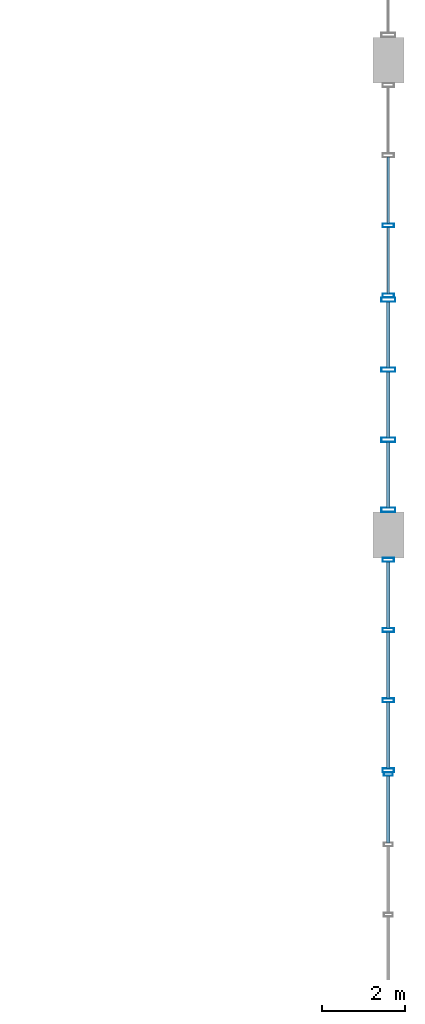
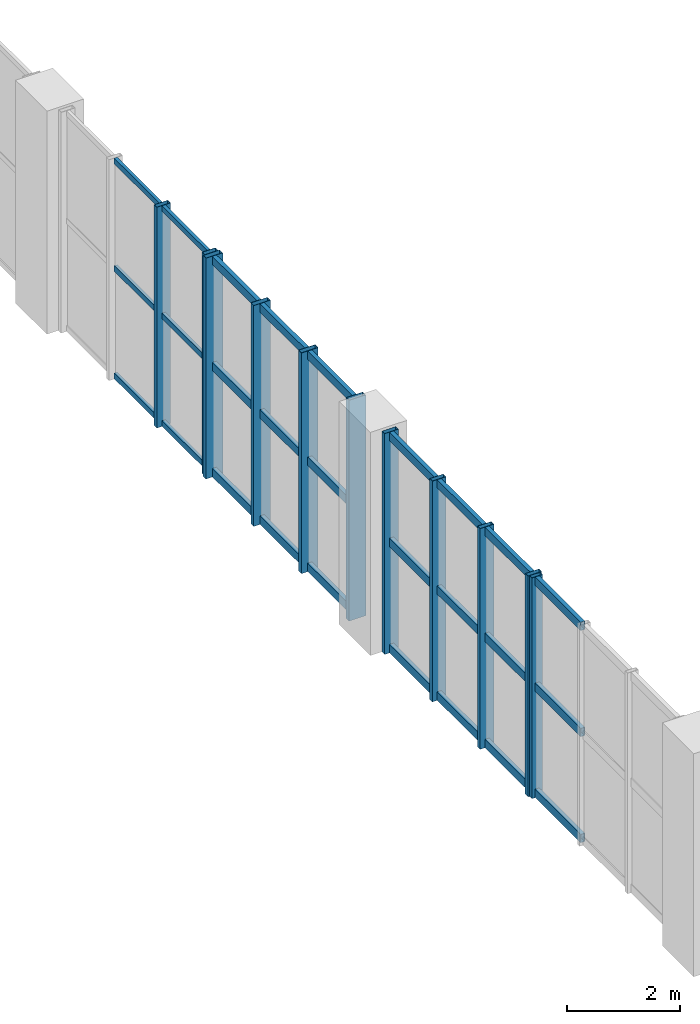
# One storey, part 54 of 106: 38 members, 4 elements without a shape of their own.
"""IFC4 building model written with IfcOpenShell, lengths in metres."""

from ifc_helpers import new_model, si_unit, direction, frame, origin, origin_2d, place, context, subcontext, project, spatial, hollow_rectangle, extrude, material, layer, layer_set, material_profile, profile_set, type_object, element, aggregate, save


model = new_model("IFC4")

# Units and contexts
model_context = context("Model", 3, precision=1e-05, world=origin(), true_north=direction((0.0, 1.0)))
body_context = subcontext(model_context, "Body", "Model", "MODEL_VIEW")
ifc_project = project(units=[si_unit("LENGTHUNIT", "METRE"), si_unit("AREAUNIT", "SQUARE_METRE"), si_unit("VOLUMEUNIT", "CUBIC_METRE"), si_unit("PLANEANGLEUNIT", "RADIAN"), si_unit("MASSUNIT", "GRAM", prefix="KILO"), si_unit("POWERUNIT", "WATT"), si_unit("THERMODYNAMICTEMPERATUREUNIT", "KELVIN")], contexts=[model_context])

# Site, building, storey
site_placement = place(None, origin())
site = spatial("IfcSite", under=ifc_project, at=site_placement, CompositionType="ELEMENT")
building_placement = place(site_placement, origin())
building = spatial("IfcBuilding", under=site, at=building_placement, Name="Kelmbourne Parkland Aquatics Centre", CompositionType="ELEMENT")
storey_placement = place(building_placement, frame((0.0, 0.0, 5.39990234375)))
storey = spatial("IfcBuildingStorey", under=building, at=storey_placement, Name="L01", CompositionType="ELEMENT", Elevation=5.39990234375)

# Curtain wall, member
ifc_material = material(Name="Thermally broken anodised aluminium framing", Category="aluminium")
ifc_layer_1 = layer(ifc_material, 0.179931640625)
ifc_layer_set_1 = layer_set([ifc_layer_1], Name="Thermally broken anodised aluminium framing")
curtain_wall_type_1 = type_object("IfcCurtainWallType", Name="CW-17", PredefinedType="NOTDEFINED", material=ifc_layer_set_1)
curtain_wall_1_placement = place(storey_placement, origin())
curtain_wall_1 = element("IfcCurtainWall", 1, at=curtain_wall_1_placement, inside=storey, type_object=curtain_wall_type_1, Name="Wave-hall clerestory curtain wall CW-L01-017", PredefinedType="NOTDEFINED")
ifc_material_profile_1 = material_profile(ifc_material, hollow_rectangle(XDim=0.0849609375, YDim=0.219970703125, WallThickness=0.0048828125, at=origin_2d()), Name="CW-M 85x220")
ifc_profile_set_1 = profile_set([ifc_material_profile_1], Name="Thermally broken anodised aluminium framing")
member_type_1 = type_object("IfcMemberType", Name="MB-MUL-3", PredefinedType="MULLION", material=ifc_profile_set_1)
member_1_placement = place(storey_placement, frame((175.199951171875, 17.857421875, 0.0), z_axis=(0.0, 0.0, 1.0), x_axis=(0.0, 1.0, 0.0)))
member_1 = element("IfcMember", 2, at=member_1_placement, type_object=member_type_1, Name="CW-L01-017 mullion 3", PredefinedType="MULLION", context=body_context, shape_type="SweptSolid", body=[
    extrude(hollow_rectangle(XDim=0.0849609375, YDim=0.219970703125, WallThickness=0.0048828125, at=origin_2d()), origin(), (0.0, 0.0, 1.0), 4.75),
])

# Curtain wall, members
ifc_layer_2 = layer(ifc_material, 0.179931640625)
ifc_layer_set_2 = layer_set([ifc_layer_2], Name="Thermally broken anodised aluminium framing")
curtain_wall_type_2 = type_object("IfcCurtainWallType", Name="CW-23", PredefinedType="NOTDEFINED", material=ifc_layer_set_2)
curtain_wall_2_placement = place(storey_placement, origin())
curtain_wall_2 = element("IfcCurtainWall", 3, at=curtain_wall_2_placement, inside=storey, type_object=curtain_wall_type_2, Name="Wave-hall clerestory curtain wall CW-L01-023", PredefinedType="NOTDEFINED")
ifc_material_profile_2 = material_profile(ifc_material, hollow_rectangle(XDim=0.094970703125, YDim=0.280029296875, WallThickness=0.005615234375, at=origin_2d()), Name="CW-M 95x280")
ifc_profile_set_2 = profile_set([ifc_material_profile_2], Name="Thermally broken anodised aluminium framing")
member_type_2 = type_object("IfcMemberType", Name="MB-MUL-4", PredefinedType="MULLION", material=ifc_profile_set_2)
member_2_placement = place(storey_placement, frame((175.199951171875, 17.947509765625, 0.0), z_axis=(0.0, 0.0, 1.0), x_axis=(0.0, 1.0, 0.0)))
member_2 = element("IfcMember", 4, at=member_2_placement, type_object=member_type_2, Name="CW-L01-023 mullion 0", PredefinedType="MULLION", context=body_context, shape_type="SweptSolid", body=[
    extrude(hollow_rectangle(XDim=0.094970703125, YDim=0.280029296875, WallThickness=0.005615234375, at=origin_2d()), origin(), (0.0, 0.0, 1.0), 4.75),
])
member_3_placement = place(storey_placement, frame((175.199951171875, 19.6318359375, 0.0), z_axis=(0.0, 0.0, 1.0), x_axis=(0.0, 1.0, 0.0)))
member_3 = element("IfcMember", 5, at=member_3_placement, type_object=member_type_2, Name="CW-L01-023 mullion 1", PredefinedType="MULLION", context=body_context, shape_type="SweptSolid", body=[
    extrude(hollow_rectangle(XDim=0.094970703125, YDim=0.280029296875, WallThickness=0.005615234375, at=origin_2d()), origin(), (0.0, 0.0, 1.0), 4.75),
])
member_4_placement = place(storey_placement, frame((175.199951171875, 21.316162109375, 0.0), z_axis=(0.0, 0.0, 1.0), x_axis=(0.0, 1.0, 0.0)))
member_4 = element("IfcMember", 6, at=member_4_placement, type_object=member_type_2, Name="CW-L01-023 mullion 2", PredefinedType="MULLION", context=body_context, shape_type="SweptSolid", body=[
    extrude(hollow_rectangle(XDim=0.094970703125, YDim=0.280029296875, WallThickness=0.005615234375, at=origin_2d()), origin(), (0.0, 0.0, 1.0), 4.75),
])
member_5_placement = place(storey_placement, frame((175.199951171875, 23.00048828125, 0.0), z_axis=(0.0, 0.0, 1.0), x_axis=(0.0, 1.0, 0.0)))
member_5 = element("IfcMember", 7, at=member_5_placement, type_object=member_type_2, Name="CW-L01-023 mullion 3", PredefinedType="MULLION", context=body_context, shape_type="SweptSolid", body=[
    extrude(hollow_rectangle(XDim=0.094970703125, YDim=0.280029296875, WallThickness=0.005615234375, at=origin_2d()), origin(), (0.0, 0.0, 1.0), 4.75),
])

ifc_layer_3 = layer(ifc_material, 0.179931640625)
ifc_layer_set_3 = layer_set([ifc_layer_3], Name="Thermally broken anodised aluminium framing")
curtain_wall_type_3 = type_object("IfcCurtainWallType", Name="CW-09", PredefinedType="NOTDEFINED", material=ifc_layer_set_3)
curtain_wall_3_placement = place(storey_placement, origin())
curtain_wall_3 = element("IfcCurtainWall", 8, at=curtain_wall_3_placement, inside=storey, type_object=curtain_wall_type_3, Name="Wave-hall clerestory curtain wall CW-L01-033", PredefinedType="NOTDEFINED")
member_6_placement = place(storey_placement, frame((175.199951171875, 29.347412109375, 0.0), z_axis=(0.0, 0.0, 1.0), x_axis=(0.0, 1.0, 0.0)))
member_6 = element("IfcMember", 9, at=member_6_placement, type_object=member_type_2, Name="CW-L01-033 mullion 0", PredefinedType="MULLION", context=body_context, shape_type="SweptSolid", body=[
    extrude(hollow_rectangle(XDim=0.094970703125, YDim=0.280029296875, WallThickness=0.005615234375, at=origin_2d()), origin(), (0.0, 0.0, 1.0), 4.75),
])
member_7_placement = place(storey_placement, frame((175.199951171875, 31.03173828125, 0.0), z_axis=(0.0, 0.0, 1.0), x_axis=(0.0, 1.0, 0.0)))
member_7 = element("IfcMember", 10, at=member_7_placement, type_object=member_type_2, Name="CW-L01-033 mullion 1", PredefinedType="MULLION", context=body_context, shape_type="SweptSolid", body=[
    extrude(hollow_rectangle(XDim=0.094970703125, YDim=0.280029296875, WallThickness=0.005615234375, at=origin_2d()), origin(), (0.0, 0.0, 1.0), 4.75),
])

ifc_layer_4 = layer(ifc_material, 0.179931640625)
ifc_layer_set_4 = layer_set([ifc_layer_4], Name="Thermally broken anodised aluminium framing")
curtain_wall_type_4 = type_object("IfcCurtainWallType", Name="CW-05", PredefinedType="NOTDEFINED", material=ifc_layer_set_4)
curtain_wall_4_placement = place(storey_placement, origin())
curtain_wall_4 = element("IfcCurtainWall", 11, at=curtain_wall_4_placement, inside=storey, type_object=curtain_wall_type_4, Name="Wave-hall clerestory curtain wall CW-L01-029", PredefinedType="NOTDEFINED")
ifc_material_profile_3 = material_profile(ifc_material, hollow_rectangle(XDim=0.10498046875, YDim=0.340087890625, WallThickness=0.006103515625, at=origin_2d()), Name="CW-M 105x340")
ifc_profile_set_3 = profile_set([ifc_material_profile_3], Name="Thermally broken anodised aluminium framing")
member_type_3 = type_object("IfcMemberType", Name="MB-MUL-5", PredefinedType="MULLION", material=ifc_profile_set_3)
member_8_placement = place(storey_placement, frame((175.199951171875, 24.20458984375, 0.0), z_axis=(0.0, 0.0, 1.0), x_axis=(0.0, 1.0, 0.0)))
member_8 = element("IfcMember", 12, at=member_8_placement, type_object=member_type_3, Name="CW-L01-029 mullion 0", PredefinedType="MULLION", context=body_context, shape_type="SweptSolid", body=[
    extrude(hollow_rectangle(XDim=0.10498046875, YDim=0.340087890625, WallThickness=0.006103515625, at=origin_2d()), origin(), (0.0, 0.0, 1.0), 4.75),
])
member_9_placement = place(storey_placement, frame((175.199951171875, 25.885498046875, 0.0), z_axis=(0.0, 0.0, 1.0), x_axis=(0.0, 1.0, 0.0)))
member_9 = element("IfcMember", 13, at=member_9_placement, type_object=member_type_3, Name="CW-L01-029 mullion 1", PredefinedType="MULLION", context=body_context, shape_type="SweptSolid", body=[
    extrude(hollow_rectangle(XDim=0.10498046875, YDim=0.340087890625, WallThickness=0.006103515625, at=origin_2d()), origin(), (0.0, 0.0, 1.0), 4.75),
])
member_10_placement = place(storey_placement, frame((175.199951171875, 27.56640625, 0.0), z_axis=(0.0, 0.0, 1.0), x_axis=(0.0, 1.0, 0.0)))
member_10 = element("IfcMember", 14, at=member_10_placement, type_object=member_type_3, Name="CW-L01-029 mullion 2", PredefinedType="MULLION", context=body_context, shape_type="SweptSolid", body=[
    extrude(hollow_rectangle(XDim=0.10498046875, YDim=0.340087890625, WallThickness=0.006103515625, at=origin_2d()), origin(), (0.0, 0.0, 1.0), 4.75),
])
member_11_placement = place(storey_placement, frame((175.199951171875, 29.24755859375, 0.0), z_axis=(0.0, 0.0, 1.0), x_axis=(0.0, 1.0, 0.0)))
member_11 = element("IfcMember", 15, at=member_11_placement, type_object=member_type_3, Name="CW-L01-029 mullion 3", PredefinedType="MULLION", context=body_context, shape_type="SweptSolid", body=[
    extrude(hollow_rectangle(XDim=0.10498046875, YDim=0.340087890625, WallThickness=0.006103515625, at=origin_2d()), origin(), (0.0, 0.0, 1.0), 4.75),
])

# Member
ifc_material_profile_4 = material_profile(ifc_material, hollow_rectangle(XDim=0.06494140625, YDim=0.1201171875, WallThickness=0.00341796875, at=origin_2d()), Name="CW-T 65x120")
ifc_profile_set_4 = profile_set([ifc_material_profile_4], Name="Thermally broken anodised aluminium framing")
member_type_4 = type_object("IfcMemberType", Name="MB-TRN-1", PredefinedType="USERDEFINED", material=ifc_profile_set_4)
member_12_placement = place(storey_placement, frame((175.199951171875, 29.39111328125, 0.06298828125), z_axis=(0.0, 1.0, 0.0), x_axis=(-1.0, 0.0, 0.0)))
member_12 = element("IfcMember", 16, at=member_12_placement, type_object=member_type_4, Name="CW-L01-033 transom 0-0", ObjectType="TRANSOM", PredefinedType="USERDEFINED", context=body_context, shape_type="SweptSolid", body=[
    extrude(hollow_rectangle(XDim=0.06494140625, YDim=0.1201171875, WallThickness=0.00341796875, at=origin_2d()), origin(), (0.0, 0.0, 1.0), 1.59716796875),
])

member_13_placement = place(storey_placement, frame((175.199951171875, 31.0751953125, 0.06298828125), z_axis=(0.0, 1.0, 0.0), x_axis=(-1.0, 0.0, 0.0)))
member_13 = element("IfcMember", 17, at=member_13_placement, type_object=member_type_4, Name="CW-L01-033 transom 0-1", ObjectType="TRANSOM", PredefinedType="USERDEFINED", context=body_context, shape_type="SweptSolid", body=[
    extrude(hollow_rectangle(XDim=0.06494140625, YDim=0.1201171875, WallThickness=0.00341796875, at=origin_2d()), origin(), (0.0, 0.0, 1.0), 1.597412109375),
])

member_14_placement = place(storey_placement, frame((175.199951171875, 29.39111328125, 2.375), z_axis=(0.0, 1.0, 0.0), x_axis=(-1.0, 0.0, 0.0)))
member_14 = element("IfcMember", 18, at=member_14_placement, type_object=member_type_4, Name="CW-L01-033 transom 1-0", ObjectType="TRANSOM", PredefinedType="USERDEFINED", context=body_context, shape_type="SweptSolid", body=[
    extrude(hollow_rectangle(XDim=0.06494140625, YDim=0.1201171875, WallThickness=0.00341796875, at=origin_2d()), origin(), (0.0, 0.0, 1.0), 1.59716796875),
])

member_15_placement = place(storey_placement, frame((175.199951171875, 31.0751953125, 2.375), z_axis=(0.0, 1.0, 0.0), x_axis=(-1.0, 0.0, 0.0)))
member_15 = element("IfcMember", 19, at=member_15_placement, type_object=member_type_4, Name="CW-L01-033 transom 1-1", ObjectType="TRANSOM", PredefinedType="USERDEFINED", context=body_context, shape_type="SweptSolid", body=[
    extrude(hollow_rectangle(XDim=0.06494140625, YDim=0.1201171875, WallThickness=0.00341796875, at=origin_2d()), origin(), (0.0, 0.0, 1.0), 1.597412109375),
])

member_16_placement = place(storey_placement, frame((175.199951171875, 29.39111328125, 4.68701171875), z_axis=(0.0, 1.0, 0.0), x_axis=(-1.0, 0.0, 0.0)))
member_16 = element("IfcMember", 20, at=member_16_placement, type_object=member_type_4, Name="CW-L01-033 transom 2-0", ObjectType="TRANSOM", PredefinedType="USERDEFINED", context=body_context, shape_type="SweptSolid", body=[
    extrude(hollow_rectangle(XDim=0.06494140625, YDim=0.1201171875, WallThickness=0.00341796875, at=origin_2d()), origin(), (0.0, 0.0, 1.0), 1.59716796875),
])

member_17_placement = place(storey_placement, frame((175.199951171875, 31.0751953125, 4.68701171875), z_axis=(0.0, 1.0, 0.0), x_axis=(-1.0, 0.0, 0.0)))
member_17 = element("IfcMember", 21, at=member_17_placement, type_object=member_type_4, Name="CW-L01-033 transom 2-1", ObjectType="TRANSOM", PredefinedType="USERDEFINED", context=body_context, shape_type="SweptSolid", body=[
    extrude(hollow_rectangle(XDim=0.06494140625, YDim=0.1201171875, WallThickness=0.00341796875, at=origin_2d()), origin(), (0.0, 0.0, 1.0), 1.597412109375),
])

aggregate(curtain_wall_3, [member_6, member_7, member_12, member_13, member_14, member_15, member_16, member_17])

ifc_material_profile_5 = material_profile(ifc_material, hollow_rectangle(XDim=0.0849609375, YDim=0.179931640625, WallThickness=0.00439453125, at=origin_2d()), Name="CW-T 85x180")
ifc_profile_set_5 = profile_set([ifc_material_profile_5], Name="Thermally broken anodised aluminium framing")
member_type_5 = type_object("IfcMemberType", Name="MB-TRN-3", PredefinedType="USERDEFINED", material=ifc_profile_set_5)
member_18_placement = place(storey_placement, frame((175.199951171875, 16.208251953125, 0.093017578125), z_axis=(0.0, 1.0, 0.0), x_axis=(-1.0, 0.0, 0.0)))
member_18 = element("IfcMember", 22, at=member_18_placement, type_object=member_type_5, Name="CW-L01-017 transom 0-2", ObjectType="TRANSOM", PredefinedType="USERDEFINED", context=body_context, shape_type="SweptSolid", body=[
    extrude(hollow_rectangle(XDim=0.0849609375, YDim=0.179931640625, WallThickness=0.00439453125, at=origin_2d()), origin(), (0.0, 0.0, 1.0), 1.61083984375),
])

member_19_placement = place(storey_placement, frame((175.199951171875, 16.208251953125, 2.375), z_axis=(0.0, 1.0, 0.0), x_axis=(-1.0, 0.0, 0.0)))
member_19 = element("IfcMember", 23, at=member_19_placement, type_object=member_type_5, Name="CW-L01-017 transom 1-2", ObjectType="TRANSOM", PredefinedType="USERDEFINED", context=body_context, shape_type="SweptSolid", body=[
    extrude(hollow_rectangle(XDim=0.0849609375, YDim=0.179931640625, WallThickness=0.00439453125, at=origin_2d()), origin(), (0.0, 0.0, 1.0), 1.61083984375),
])

member_20_placement = place(storey_placement, frame((175.199951171875, 16.208251953125, 4.656982421875), z_axis=(0.0, 1.0, 0.0), x_axis=(-1.0, 0.0, 0.0)))
member_20 = element("IfcMember", 24, at=member_20_placement, type_object=member_type_5, Name="CW-L01-017 transom 2-2", ObjectType="TRANSOM", PredefinedType="USERDEFINED", context=body_context, shape_type="SweptSolid", body=[
    extrude(hollow_rectangle(XDim=0.0849609375, YDim=0.179931640625, WallThickness=0.00439453125, at=origin_2d()), origin(), (0.0, 0.0, 1.0), 1.61083984375),
])

aggregate(curtain_wall_1, [member_1, member_18, member_19, member_20])

member_21_placement = place(storey_placement, frame((175.199951171875, 17.990966796875, 0.093017578125), z_axis=(0.0, 1.0, 0.0), x_axis=(-1.0, 0.0, 0.0)))
member_21 = element("IfcMember", 25, at=member_21_placement, type_object=member_type_5, Name="CW-L01-023 transom 0-0", ObjectType="TRANSOM", PredefinedType="USERDEFINED", context=body_context, shape_type="SweptSolid", body=[
    extrude(hollow_rectangle(XDim=0.0849609375, YDim=0.179931640625, WallThickness=0.00439453125, at=origin_2d()), origin(), (0.0, 0.0, 1.0), 1.597412109375),
])

member_22_placement = place(storey_placement, frame((175.199951171875, 19.67529296875, 0.093017578125), z_axis=(0.0, 1.0, 0.0), x_axis=(-1.0, 0.0, 0.0)))
member_22 = element("IfcMember", 26, at=member_22_placement, type_object=member_type_5, Name="CW-L01-023 transom 0-1", ObjectType="TRANSOM", PredefinedType="USERDEFINED", context=body_context, shape_type="SweptSolid", body=[
    extrude(hollow_rectangle(XDim=0.0849609375, YDim=0.179931640625, WallThickness=0.00439453125, at=origin_2d()), origin(), (0.0, 0.0, 1.0), 1.597412109375),
])

member_23_placement = place(storey_placement, frame((175.199951171875, 21.359619140625, 0.093017578125), z_axis=(0.0, 1.0, 0.0), x_axis=(-1.0, 0.0, 0.0)))
member_23 = element("IfcMember", 27, at=member_23_placement, type_object=member_type_5, Name="CW-L01-023 transom 0-2", ObjectType="TRANSOM", PredefinedType="USERDEFINED", context=body_context, shape_type="SweptSolid", body=[
    extrude(hollow_rectangle(XDim=0.0849609375, YDim=0.179931640625, WallThickness=0.00439453125, at=origin_2d()), origin(), (0.0, 0.0, 1.0), 1.597412109375),
])

member_24_placement = place(storey_placement, frame((175.199951171875, 17.990966796875, 2.375), z_axis=(0.0, 1.0, 0.0), x_axis=(-1.0, 0.0, 0.0)))
member_24 = element("IfcMember", 28, at=member_24_placement, type_object=member_type_5, Name="CW-L01-023 transom 1-0", ObjectType="TRANSOM", PredefinedType="USERDEFINED", context=body_context, shape_type="SweptSolid", body=[
    extrude(hollow_rectangle(XDim=0.0849609375, YDim=0.179931640625, WallThickness=0.00439453125, at=origin_2d()), origin(), (0.0, 0.0, 1.0), 1.597412109375),
])

member_25_placement = place(storey_placement, frame((175.199951171875, 19.67529296875, 2.375), z_axis=(0.0, 1.0, 0.0), x_axis=(-1.0, 0.0, 0.0)))
member_25 = element("IfcMember", 29, at=member_25_placement, type_object=member_type_5, Name="CW-L01-023 transom 1-1", ObjectType="TRANSOM", PredefinedType="USERDEFINED", context=body_context, shape_type="SweptSolid", body=[
    extrude(hollow_rectangle(XDim=0.0849609375, YDim=0.179931640625, WallThickness=0.00439453125, at=origin_2d()), origin(), (0.0, 0.0, 1.0), 1.597412109375),
])

member_26_placement = place(storey_placement, frame((175.199951171875, 21.359619140625, 2.375), z_axis=(0.0, 1.0, 0.0), x_axis=(-1.0, 0.0, 0.0)))
member_26 = element("IfcMember", 30, at=member_26_placement, type_object=member_type_5, Name="CW-L01-023 transom 1-2", ObjectType="TRANSOM", PredefinedType="USERDEFINED", context=body_context, shape_type="SweptSolid", body=[
    extrude(hollow_rectangle(XDim=0.0849609375, YDim=0.179931640625, WallThickness=0.00439453125, at=origin_2d()), origin(), (0.0, 0.0, 1.0), 1.597412109375),
])

member_27_placement = place(storey_placement, frame((175.199951171875, 17.990966796875, 4.656982421875), z_axis=(0.0, 1.0, 0.0), x_axis=(-1.0, 0.0, 0.0)))
member_27 = element("IfcMember", 31, at=member_27_placement, type_object=member_type_5, Name="CW-L01-023 transom 2-0", ObjectType="TRANSOM", PredefinedType="USERDEFINED", context=body_context, shape_type="SweptSolid", body=[
    extrude(hollow_rectangle(XDim=0.0849609375, YDim=0.179931640625, WallThickness=0.00439453125, at=origin_2d()), origin(), (0.0, 0.0, 1.0), 1.597412109375),
])

member_28_placement = place(storey_placement, frame((175.199951171875, 19.67529296875, 4.656982421875), z_axis=(0.0, 1.0, 0.0), x_axis=(-1.0, 0.0, 0.0)))
member_28 = element("IfcMember", 32, at=member_28_placement, type_object=member_type_5, Name="CW-L01-023 transom 2-1", ObjectType="TRANSOM", PredefinedType="USERDEFINED", context=body_context, shape_type="SweptSolid", body=[
    extrude(hollow_rectangle(XDim=0.0849609375, YDim=0.179931640625, WallThickness=0.00439453125, at=origin_2d()), origin(), (0.0, 0.0, 1.0), 1.597412109375),
])

member_29_placement = place(storey_placement, frame((175.199951171875, 21.359619140625, 4.656982421875), z_axis=(0.0, 1.0, 0.0), x_axis=(-1.0, 0.0, 0.0)))
member_29 = element("IfcMember", 33, at=member_29_placement, type_object=member_type_5, Name="CW-L01-023 transom 2-2", ObjectType="TRANSOM", PredefinedType="USERDEFINED", context=body_context, shape_type="SweptSolid", body=[
    extrude(hollow_rectangle(XDim=0.0849609375, YDim=0.179931640625, WallThickness=0.00439453125, at=origin_2d()), origin(), (0.0, 0.0, 1.0), 1.597412109375),
])

aggregate(curtain_wall_2, [member_2, member_3, member_4, member_5, member_21, member_22, member_23, member_24, member_25, member_26, member_27, member_28, member_29])

member_30_placement = place(storey_placement, frame((175.199951171875, 24.2529296875, 0.093017578125), z_axis=(0.0, 1.0, 0.0), x_axis=(-1.0, 0.0, 0.0)))
member_30 = element("IfcMember", 34, at=member_30_placement, type_object=member_type_5, Name="CW-L01-029 transom 0-0", ObjectType="TRANSOM", PredefinedType="USERDEFINED", context=body_context, shape_type="SweptSolid", body=[
    extrude(hollow_rectangle(XDim=0.0849609375, YDim=0.179931640625, WallThickness=0.00439453125, at=origin_2d()), origin(), (0.0, 0.0, 1.0), 1.583984375),
])

member_31_placement = place(storey_placement, frame((175.199951171875, 25.93408203125, 0.093017578125), z_axis=(0.0, 1.0, 0.0), x_axis=(-1.0, 0.0, 0.0)))
member_31 = element("IfcMember", 35, at=member_31_placement, type_object=member_type_5, Name="CW-L01-029 transom 0-1", ObjectType="TRANSOM", PredefinedType="USERDEFINED", context=body_context, shape_type="SweptSolid", body=[
    extrude(hollow_rectangle(XDim=0.0849609375, YDim=0.179931640625, WallThickness=0.00439453125, at=origin_2d()), origin(), (0.0, 0.0, 1.0), 1.583984375),
])

member_32_placement = place(storey_placement, frame((175.199951171875, 27.614990234375, 0.093017578125), z_axis=(0.0, 1.0, 0.0), x_axis=(-1.0, 0.0, 0.0)))
member_32 = element("IfcMember", 36, at=member_32_placement, type_object=member_type_5, Name="CW-L01-029 transom 0-2", ObjectType="TRANSOM", PredefinedType="USERDEFINED", context=body_context, shape_type="SweptSolid", body=[
    extrude(hollow_rectangle(XDim=0.0849609375, YDim=0.179931640625, WallThickness=0.00439453125, at=origin_2d()), origin(), (0.0, 0.0, 1.0), 1.583984375),
])

member_33_placement = place(storey_placement, frame((175.199951171875, 24.2529296875, 2.375), z_axis=(0.0, 1.0, 0.0), x_axis=(-1.0, 0.0, 0.0)))
member_33 = element("IfcMember", 37, at=member_33_placement, type_object=member_type_5, Name="CW-L01-029 transom 1-0", ObjectType="TRANSOM", PredefinedType="USERDEFINED", context=body_context, shape_type="SweptSolid", body=[
    extrude(hollow_rectangle(XDim=0.0849609375, YDim=0.179931640625, WallThickness=0.00439453125, at=origin_2d()), origin(), (0.0, 0.0, 1.0), 1.583984375),
])

member_34_placement = place(storey_placement, frame((175.199951171875, 25.93408203125, 2.375), z_axis=(0.0, 1.0, 0.0), x_axis=(-1.0, 0.0, 0.0)))
member_34 = element("IfcMember", 38, at=member_34_placement, type_object=member_type_5, Name="CW-L01-029 transom 1-1", ObjectType="TRANSOM", PredefinedType="USERDEFINED", context=body_context, shape_type="SweptSolid", body=[
    extrude(hollow_rectangle(XDim=0.0849609375, YDim=0.179931640625, WallThickness=0.00439453125, at=origin_2d()), origin(), (0.0, 0.0, 1.0), 1.583984375),
])

member_35_placement = place(storey_placement, frame((175.199951171875, 27.614990234375, 2.375), z_axis=(0.0, 1.0, 0.0), x_axis=(-1.0, 0.0, 0.0)))
member_35 = element("IfcMember", 39, at=member_35_placement, type_object=member_type_5, Name="CW-L01-029 transom 1-2", ObjectType="TRANSOM", PredefinedType="USERDEFINED", context=body_context, shape_type="SweptSolid", body=[
    extrude(hollow_rectangle(XDim=0.0849609375, YDim=0.179931640625, WallThickness=0.00439453125, at=origin_2d()), origin(), (0.0, 0.0, 1.0), 1.583984375),
])

member_36_placement = place(storey_placement, frame((175.199951171875, 24.2529296875, 4.656982421875), z_axis=(0.0, 1.0, 0.0), x_axis=(-1.0, 0.0, 0.0)))
member_36 = element("IfcMember", 40, at=member_36_placement, type_object=member_type_5, Name="CW-L01-029 transom 2-0", ObjectType="TRANSOM", PredefinedType="USERDEFINED", context=body_context, shape_type="SweptSolid", body=[
    extrude(hollow_rectangle(XDim=0.0849609375, YDim=0.179931640625, WallThickness=0.00439453125, at=origin_2d()), origin(), (0.0, 0.0, 1.0), 1.583984375),
])

member_37_placement = place(storey_placement, frame((175.199951171875, 25.93408203125, 4.656982421875), z_axis=(0.0, 1.0, 0.0), x_axis=(-1.0, 0.0, 0.0)))
member_37 = element("IfcMember", 41, at=member_37_placement, type_object=member_type_5, Name="CW-L01-029 transom 2-1", ObjectType="TRANSOM", PredefinedType="USERDEFINED", context=body_context, shape_type="SweptSolid", body=[
    extrude(hollow_rectangle(XDim=0.0849609375, YDim=0.179931640625, WallThickness=0.00439453125, at=origin_2d()), origin(), (0.0, 0.0, 1.0), 1.583984375),
])

member_38_placement = place(storey_placement, frame((175.199951171875, 27.614990234375, 4.656982421875), z_axis=(0.0, 1.0, 0.0), x_axis=(-1.0, 0.0, 0.0)))
member_38 = element("IfcMember", 42, at=member_38_placement, type_object=member_type_5, Name="CW-L01-029 transom 2-2", ObjectType="TRANSOM", PredefinedType="USERDEFINED", context=body_context, shape_type="SweptSolid", body=[
    extrude(hollow_rectangle(XDim=0.0849609375, YDim=0.179931640625, WallThickness=0.00439453125, at=origin_2d()), origin(), (0.0, 0.0, 1.0), 1.583984375),
])

aggregate(curtain_wall_4, [member_8, member_9, member_10, member_11, member_30, member_31, member_32, member_33, member_34, member_35, member_36, member_37, member_38])

save(model, "model.ifc")
